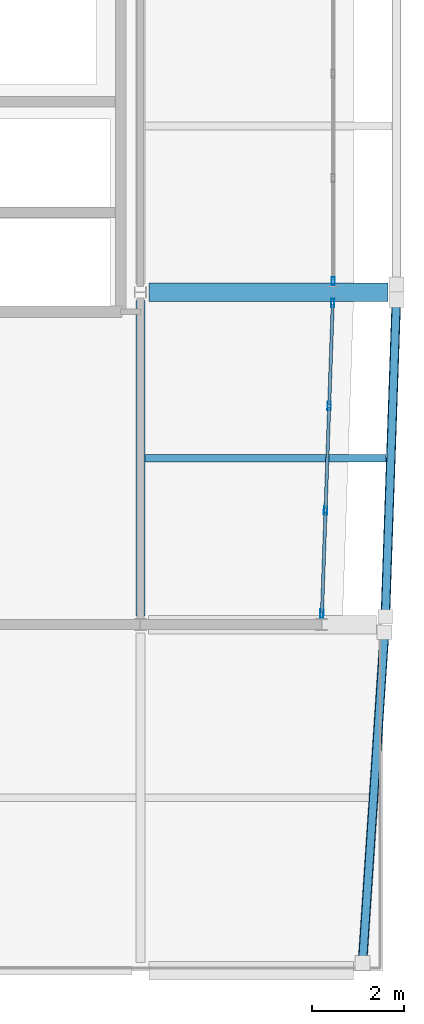
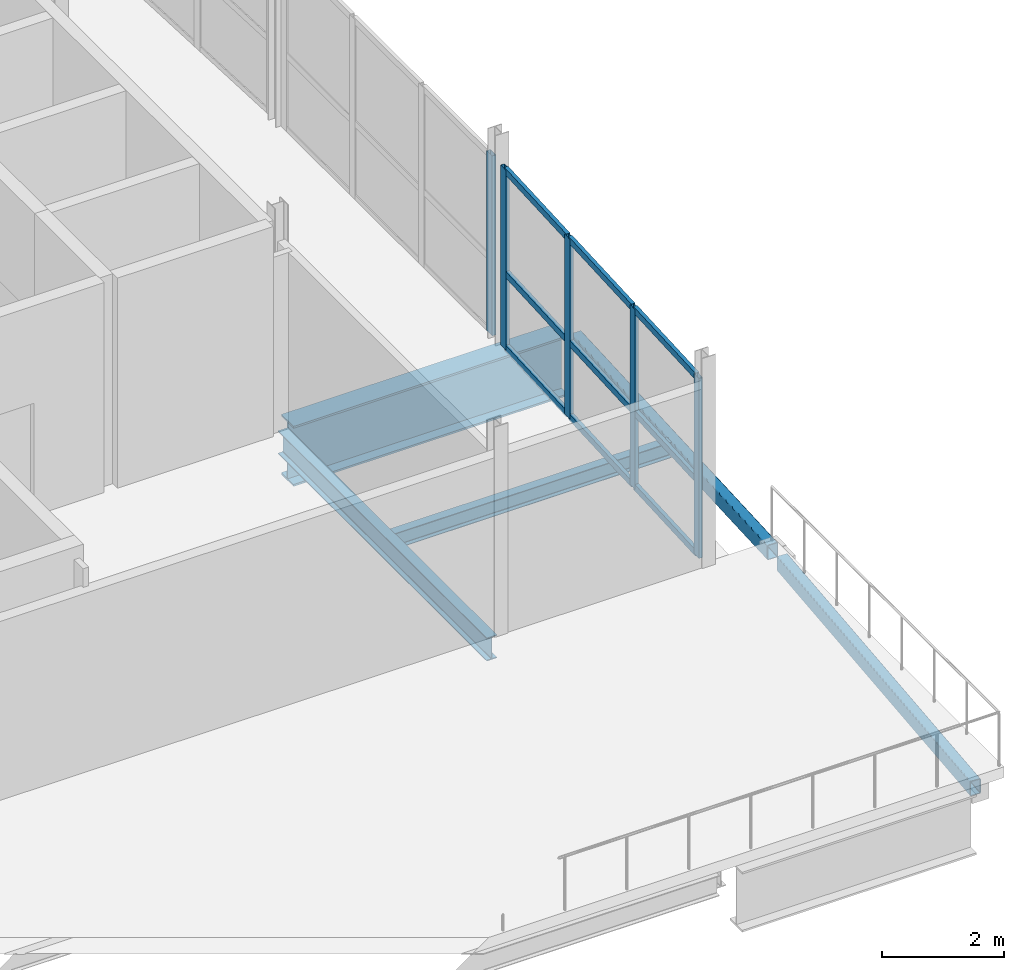
# One storey, part 4 of 17: 14 members, 5 beams, 2 elements without a shape of their own.
"""IFC4 building model written with IfcOpenShell, lengths in metres."""

from ifc_helpers import new_model, si_unit, direction, frame, origin, origin_2d, place, context, subcontext, project, spatial, hollow_rectangle, i_section, extrude, material, layer, layer_set, material_profile, profile_set, type_object, element, aggregate, save


model = new_model("IFC4")

# Units and contexts
model_context = context("Model", 3, precision=1e-05, world=origin(), true_north=direction((0.0, 1.0)))
body_context = subcontext(model_context, "Body", "Model", "MODEL_VIEW")
ifc_project = project(units=[si_unit("LENGTHUNIT", "METRE"), si_unit("AREAUNIT", "SQUARE_METRE"), si_unit("VOLUMEUNIT", "CUBIC_METRE"), si_unit("PLANEANGLEUNIT", "RADIAN"), si_unit("MASSUNIT", "GRAM", prefix="KILO")], contexts=[model_context])

# Site, building, storey
site_placement = place(None, origin())
site = spatial("IfcSite", under=ifc_project, at=site_placement, CompositionType="ELEMENT")
building_placement = place(site_placement, origin())
building = spatial("IfcBuilding", under=site, at=building_placement, Name="Quillay Park Conservatory", CompositionType="ELEMENT")
storey_placement = place(building_placement, frame((0.0, 0.0, 60.300048828125)))
storey = spatial("IfcBuildingStorey", under=building, at=storey_placement, Name="L14", CompositionType="ELEMENT", Elevation=60.300048828125)

# Beam
ifc_material_1 = material(Name="Steel ASTM A992 Grade 50", Category="steel")
ifc_material_profile_1 = material_profile(ifc_material_1, i_section(OverallWidth=0.166015625, OverallDepth=0.31298828125, WebThickness=0.006591796875, FlangeThickness=0.01123046875, FilletRadius=0.010009765625, at=origin_2d()), Name="W310x45")
ifc_profile_set_1 = profile_set([ifc_material_profile_1], Name="Steel ASTM A992 Grade 50")
beam_type_1 = type_object("IfcBeamType", Name="COMPOSITE FLOOR JOIST W310 X45", PredefinedType="JOIST", material=ifc_profile_set_1)
beam_1_placement = place(storey_placement, frame((19.845947265625, 81.60009765625, -0.37158203125), z_axis=(1.0, 0.0, 0.0), x_axis=(0.0, 1.0, 0.0)))
element("IfcBeam", 1, at=beam_1_placement, inside=storey, type_object=beam_type_1, Name="L14 beam BM-J-0973", PredefinedType="JOIST", context=body_context, shape_type="SweptSolid", body=[
    extrude(i_section(OverallWidth=0.166015625, OverallDepth=0.31298828125, WebThickness=0.006591796875, FlangeThickness=0.01123046875, FilletRadius=0.010009765625, at=origin_2d()), origin(), (0.0, 0.0, 1.0), 5.22900390625),
])

# Curtain wall, members
ifc_material_2 = material(Name="Thermally Broken Anodised Aluminium 6063-T6", Category="aluminium")
ifc_layer = layer(ifc_material_2, 0.179931640625)
ifc_layer_set = layer_set([ifc_layer], Name="UNITISED CURTAIN WALL TOWER (Thermally Broken Anodised Aluminium 6063-T6)")
curtain_wall_type = type_object("IfcCurtainWallType", Name="UNITISED CURTAIN WALL TOWER", PredefinedType="USERDEFINED", material=ifc_layer_set)
curtain_wall_1_placement = place(storey_placement, origin())
curtain_wall_1 = element("IfcCurtainWall", 2, at=curtain_wall_1_placement, inside=storey, type_object=curtain_wall_type, Name="L14 Unitised Curtain Wall 131", ObjectType="UNITISED CURTAIN WALL", PredefinedType="USERDEFINED")
ifc_material_3 = material(Name="Thermally Broken Anodised Aluminium 6063-T6", Category="aluminium")
ifc_material_profile_2 = material_profile(ifc_material_3, hollow_rectangle(XDim=0.070068359375, YDim=0.179931640625, WallThickness=0.00390625, at=origin_2d()), Name="AL70x180x4")
ifc_profile_set_2 = profile_set([ifc_material_profile_2], Name="Thermally Broken Anodised Aluminium 6063-T6")
member_type_1 = type_object("IfcMemberType", Name="CURTAIN WALL MULLION 70 X180", PredefinedType="MULLION", material=ifc_profile_set_2)
member_1_placement = place(storey_placement, frame((23.9169921875, 84.965087890625, 0.0), z_axis=(0.0, 0.0, 1.0), x_axis=(0.999397310446, -0.034713338537, 0.0)))
member_1 = element("IfcMember", 3, at=member_1_placement, type_object=member_type_1, Name="CW-T1 mullion 1", PredefinedType="MULLION", context=body_context, shape_type="SweptSolid", body=[
    extrude(hollow_rectangle(XDim=0.070068359375, YDim=0.179931640625, WallThickness=0.00390625, at=origin_2d()), origin(), (0.0, 0.0, 1.0), 3.598876953125),
])
member_2_placement = place(storey_placement, frame((23.83935546875, 82.7333984375, 0.0), z_axis=(0.0, 0.0, 1.0), x_axis=(0.999397310446, -0.034713338537, 0.0)))
member_2 = element("IfcMember", 4, at=member_2_placement, type_object=member_type_1, Name="CW-T1 mullion 2", PredefinedType="MULLION", context=body_context, shape_type="SweptSolid", body=[
    extrude(hollow_rectangle(XDim=0.070068359375, YDim=0.179931640625, WallThickness=0.00390625, at=origin_2d()), origin(), (0.0, 0.0, 1.0), 3.598876953125),
])
member_3_placement = place(storey_placement, frame((23.7607421875, 80.466552734375, 0.0), z_axis=(0.0, 0.0, 1.0), x_axis=(0.999397310446, -0.034713338537, 0.0)))
member_3 = element("IfcMember", 5, at=member_3_placement, type_object=member_type_1, Name="CW-T1 mullion 3", PredefinedType="MULLION", context=body_context, shape_type="SweptSolid", body=[
    extrude(hollow_rectangle(XDim=0.070068359375, YDim=0.179931640625, WallThickness=0.00390625, at=origin_2d()), origin(), (0.0, 0.0, 1.0), 3.598876953125),
])
member_4_placement = place(storey_placement, frame((23.68310546875, 78.23486328125, 0.0), z_axis=(0.0, 0.0, 1.0), x_axis=(0.999397310446, -0.034713338537, 0.0)))
member_4 = element("IfcMember", 6, at=member_4_placement, type_object=member_type_1, Name="CW-T1 mullion 4", PredefinedType="MULLION", context=body_context, shape_type="SweptSolid", body=[
    extrude(hollow_rectangle(XDim=0.070068359375, YDim=0.179931640625, WallThickness=0.00390625, at=origin_2d()), origin(), (0.0, 0.0, 1.0), 3.598876953125),
])

# Curtain wall, member
curtain_wall_2_placement = place(storey_placement, origin())
curtain_wall_2 = element("IfcCurtainWall", 7, at=curtain_wall_2_placement, inside=storey, type_object=curtain_wall_type, Name="L14 Unitised Curtain Wall 132", ObjectType="UNITISED CURTAIN WALL", PredefinedType="USERDEFINED")
member_5_placement = place(storey_placement, frame((23.925048828125, 85.43505859375, 0.0), z_axis=(0.0, 0.0, 1.0), x_axis=(1.0, 0.0, 0.0)))
member_5 = element("IfcMember", 8, at=member_5_placement, type_object=member_type_1, Name="CW-T1 mullion 4", PredefinedType="MULLION", context=body_context, shape_type="SweptSolid", body=[
    extrude(hollow_rectangle(XDim=0.070068359375, YDim=0.179931640625, WallThickness=0.00390625, at=origin_2d()), origin(), (0.0, 0.0, 1.0), 3.598876953125),
])
aggregate(curtain_wall_2, [member_5])

# Member
ifc_material_4 = material(Name="Thermally Broken Anodised Aluminium 6063-T6", Category="aluminium")
ifc_material_profile_3 = material_profile(ifc_material_4, hollow_rectangle(XDim=0.070068359375, YDim=0.1298828125, WallThickness=0.003173828125, at=origin_2d()), Name="AL70x130x3.2")
ifc_profile_set_3 = profile_set([ifc_material_profile_3], Name="Thermally Broken Anodised Aluminium 6063-T6")
member_type_2 = type_object("IfcMemberType", Name="CURTAIN WALL TRANSOM 70 X130", PredefinedType="USERDEFINED", material=ifc_profile_set_3)
member_6_placement = place(storey_placement, frame((23.915771484375, 84.93017578125, 0.034912109375), z_axis=(-0.034761587249, -0.999395633396, 0.0), x_axis=(0.999395633396, -0.034761587249, 0.0)))
member_6 = element("IfcMember", 9, at=member_6_placement, type_object=member_type_2, Name="CW-T1 transom 1.1", ObjectType="TRANSOM", PredefinedType="USERDEFINED", context=body_context, shape_type="SweptSolid", body=[
    extrude(hollow_rectangle(XDim=0.070068359375, YDim=0.1298828125, WallThickness=0.003173828125, at=origin_2d()), origin(), (0.0, 0.0, 1.0), 2.1630859375),
])

member_7_placement = place(storey_placement, frame((23.915771484375, 84.93017578125, 1.511474609375), z_axis=(-0.034761587249, -0.999395633396, 0.0), x_axis=(0.999395633396, -0.034761587249, 0.0)))
member_7 = element("IfcMember", 10, at=member_7_placement, type_object=member_type_2, Name="CW-T1 transom 1.2", ObjectType="TRANSOM", PredefinedType="USERDEFINED", context=body_context, shape_type="SweptSolid", body=[
    extrude(hollow_rectangle(XDim=0.070068359375, YDim=0.1298828125, WallThickness=0.003173828125, at=origin_2d()), origin(), (0.0, 0.0, 1.0), 2.1630859375),
])

member_8_placement = place(storey_placement, frame((23.915771484375, 84.93017578125, 3.56396484375), z_axis=(-0.034761587249, -0.999395633396, 0.0), x_axis=(0.999395633396, -0.034761587249, 0.0)))
member_8 = element("IfcMember", 11, at=member_8_placement, type_object=member_type_2, Name="CW-T1 transom 1.3", ObjectType="TRANSOM", PredefinedType="USERDEFINED", context=body_context, shape_type="SweptSolid", body=[
    extrude(hollow_rectangle(XDim=0.070068359375, YDim=0.1298828125, WallThickness=0.003173828125, at=origin_2d()), origin(), (0.0, 0.0, 1.0), 2.1630859375),
])

member_9_placement = place(storey_placement, frame((23.838134765625, 82.698486328125, 0.034912109375), z_axis=(-0.034653546152, -0.999399385501, 0.0), x_axis=(0.999399385501, -0.034653546152, 0.0)))
member_9 = element("IfcMember", 12, at=member_9_placement, type_object=member_type_2, Name="CW-T1 transom 2.1", ObjectType="TRANSOM", PredefinedType="USERDEFINED", context=body_context, shape_type="SweptSolid", body=[
    extrude(hollow_rectangle(XDim=0.070068359375, YDim=0.1298828125, WallThickness=0.003173828125, at=origin_2d()), origin(), (0.0, 0.0, 1.0), 2.197998046875),
])

member_10_placement = place(storey_placement, frame((23.838134765625, 82.698486328125, 1.511474609375), z_axis=(-0.034653546152, -0.999399385501, 0.0), x_axis=(0.999399385501, -0.034653546152, 0.0)))
member_10 = element("IfcMember", 13, at=member_10_placement, type_object=member_type_2, Name="CW-T1 transom 2.2", ObjectType="TRANSOM", PredefinedType="USERDEFINED", context=body_context, shape_type="SweptSolid", body=[
    extrude(hollow_rectangle(XDim=0.070068359375, YDim=0.1298828125, WallThickness=0.003173828125, at=origin_2d()), origin(), (0.0, 0.0, 1.0), 2.197998046875),
])

member_11_placement = place(storey_placement, frame((23.838134765625, 82.698486328125, 3.56396484375), z_axis=(-0.034653546152, -0.999399385501, 0.0), x_axis=(0.999399385501, -0.034653546152, 0.0)))
member_11 = element("IfcMember", 14, at=member_11_placement, type_object=member_type_2, Name="CW-T1 transom 2.3", ObjectType="TRANSOM", PredefinedType="USERDEFINED", context=body_context, shape_type="SweptSolid", body=[
    extrude(hollow_rectangle(XDim=0.070068359375, YDim=0.1298828125, WallThickness=0.003173828125, at=origin_2d()), origin(), (0.0, 0.0, 1.0), 2.197998046875),
])

member_12_placement = place(storey_placement, frame((23.759521484375, 80.431640625, 0.034912109375), z_axis=(-0.034761587249, -0.999395633396, 0.0), x_axis=(0.999395633396, -0.034761587249, 0.0)))
member_12 = element("IfcMember", 15, at=member_12_placement, type_object=member_type_2, Name="CW-T1 transom 3.1", ObjectType="TRANSOM", PredefinedType="USERDEFINED", context=body_context, shape_type="SweptSolid", body=[
    extrude(hollow_rectangle(XDim=0.070068359375, YDim=0.1298828125, WallThickness=0.003173828125, at=origin_2d()), origin(), (0.0, 0.0, 1.0), 2.1630859375),
])

member_13_placement = place(storey_placement, frame((23.759521484375, 80.431640625, 1.511474609375), z_axis=(-0.034761587249, -0.999395633396, 0.0), x_axis=(0.999395633396, -0.034761587249, 0.0)))
member_13 = element("IfcMember", 16, at=member_13_placement, type_object=member_type_2, Name="CW-T1 transom 3.2", ObjectType="TRANSOM", PredefinedType="USERDEFINED", context=body_context, shape_type="SweptSolid", body=[
    extrude(hollow_rectangle(XDim=0.070068359375, YDim=0.1298828125, WallThickness=0.003173828125, at=origin_2d()), origin(), (0.0, 0.0, 1.0), 2.1630859375),
])

member_14_placement = place(storey_placement, frame((23.759521484375, 80.431640625, 3.56396484375), z_axis=(-0.034761587249, -0.999395633396, 0.0), x_axis=(0.999395633396, -0.034761587249, 0.0)))
member_14 = element("IfcMember", 17, at=member_14_placement, type_object=member_type_2, Name="CW-T1 transom 3.3", ObjectType="TRANSOM", PredefinedType="USERDEFINED", context=body_context, shape_type="SweptSolid", body=[
    extrude(hollow_rectangle(XDim=0.070068359375, YDim=0.1298828125, WallThickness=0.003173828125, at=origin_2d()), origin(), (0.0, 0.0, 1.0), 2.1630859375),
])

aggregate(curtain_wall_1, [member_1, member_2, member_3, member_4, member_6, member_7, member_8, member_9, member_10, member_11, member_12, member_13, member_14])

# Beams
ifc_material_5 = material(Name="Steel S355J2H", Category="steel")
ifc_material_profile_4 = material_profile(ifc_material_5, hollow_rectangle(XDim=0.199951171875, YDim=0.300048828125, WallThickness=0.012451171875, InnerFilletRadius=0.012451171875, OuterFilletRadius=0.02490234375, at=origin_2d()), Name="RHS300x200x12.5")
ifc_profile_set_4 = profile_set([ifc_material_profile_4], Name="Steel S355J2H")
beam_type_2 = type_object("IfcBeamType", Name="PERIMETER SPANDREL BEAM RHS300", PredefinedType="SPANDREL", material=ifc_profile_set_4)
beam_2_placement = place(storey_placement, frame((24.561767578125, 70.677490234375, -0.364990234375), z_axis=(0.066516747669, 0.997785308711, 0.0), x_axis=(-0.997785308711, 0.066516747669, 0.0)))
element("IfcBeam", 18, at=beam_2_placement, inside=storey, type_object=beam_type_2, Name="L14 beam BM-SPE-0962", PredefinedType="SPANDREL", context=body_context, shape_type="SweptSolid", body=[
    extrude(hollow_rectangle(XDim=0.199951171875, YDim=0.300048828125, WallThickness=0.012451171875, InnerFilletRadius=0.012451171875, OuterFilletRadius=0.02490234375, at=origin_2d()), origin(), (0.0, 0.0, 1.0), 7.160888671875),
])
beam_3_placement = place(storey_placement, frame((25.05615234375, 78.177978515625, -0.364990234375), z_axis=(0.034686968465, 0.999398226043, 0.0), x_axis=(-0.999398226043, 0.034686968465, 0.0)))
element("IfcBeam", 19, at=beam_3_placement, inside=storey, type_object=beam_type_2, Name="L14 beam BM-SPE-0969", PredefinedType="SPANDREL", context=body_context, shape_type="SweptSolid", body=[
    extrude(hollow_rectangle(XDim=0.199951171875, YDim=0.300048828125, WallThickness=0.012451171875, InnerFilletRadius=0.012451171875, OuterFilletRadius=0.02490234375, at=origin_2d()), origin(), (0.0, 0.0, 1.0), 6.848388671875),
])
ifc_material_6 = material(Name="Steel ASTM A992 Grade 50", Category="steel")
ifc_material_profile_5 = material_profile(ifc_material_6, i_section(OverallWidth=0.19189453125, OverallDepth=0.462890625, WebThickness=0.010498046875, FlangeThickness=0.017578125, FilletRadius=0.012939453125, at=origin_2d()), Name="W460x89")
ifc_profile_set_5 = profile_set([ifc_material_profile_5], Name="Steel ASTM A992 Grade 50")
beam_type_3 = type_object("IfcBeamType", Name="PRIMARY FLOOR GIRDER W460 X89", PredefinedType="BEAM", material=ifc_profile_set_5)
beam_4_placement = place(storey_placement, frame((19.75, 78.1845703125, -0.446533203125), z_axis=(0.0, 1.0, 0.0), x_axis=(-1.0, 0.0, 0.0)))
element("IfcBeam", 20, at=beam_4_placement, inside=storey, type_object=beam_type_3, Name="L14 beam BM-GNS-0971", PredefinedType="BEAM", context=body_context, shape_type="SweptSolid", body=[
    extrude(i_section(OverallWidth=0.19189453125, OverallDepth=0.462890625, WebThickness=0.010498046875, FlangeThickness=0.017578125, FilletRadius=0.012939453125, at=origin_2d()), origin(), (0.0, 0.0, 1.0), 6.83740234375),
])
ifc_material_7 = material(Name="Steel ASTM A572 Grade 50", Category="steel")
ifc_material_profile_6 = material_profile(ifc_material_7, i_section(OverallWidth=0.39990234375, OverallDepth=1.199951171875, WebThickness=0.02001953125, FlangeThickness=0.0380859375, at=origin_2d()), Name="IG1200x400")
ifc_profile_set_6 = profile_set([ifc_material_profile_6], Name="Steel ASTM A572 Grade 50")
beam_type_4 = type_object("IfcBeamType", Name="TRANSFER PLATE GIRDER IG1200", PredefinedType="USERDEFINED", material=ifc_profile_set_6)
beam_5_placement = place(storey_placement, frame((19.9345703125, 85.199951171875, -0.81494140625), z_axis=(1.0, 0.0, 0.0), x_axis=(0.0, 1.0, 0.0)))
element("IfcBeam", 21, at=beam_5_placement, inside=storey, type_object=beam_type_4, Name="L14 beam BM-TG2-0949", ObjectType="TRANSFER PLATE GIRDER", PredefinedType="USERDEFINED", context=body_context, shape_type="SweptSolid", body=[
    extrude(i_section(OverallWidth=0.39990234375, OverallDepth=1.199951171875, WebThickness=0.02001953125, FlangeThickness=0.0380859375, at=origin_2d()), origin(), (0.0, 0.0, 1.0), 5.180908203125),
])

save(model, "model.ifc")
